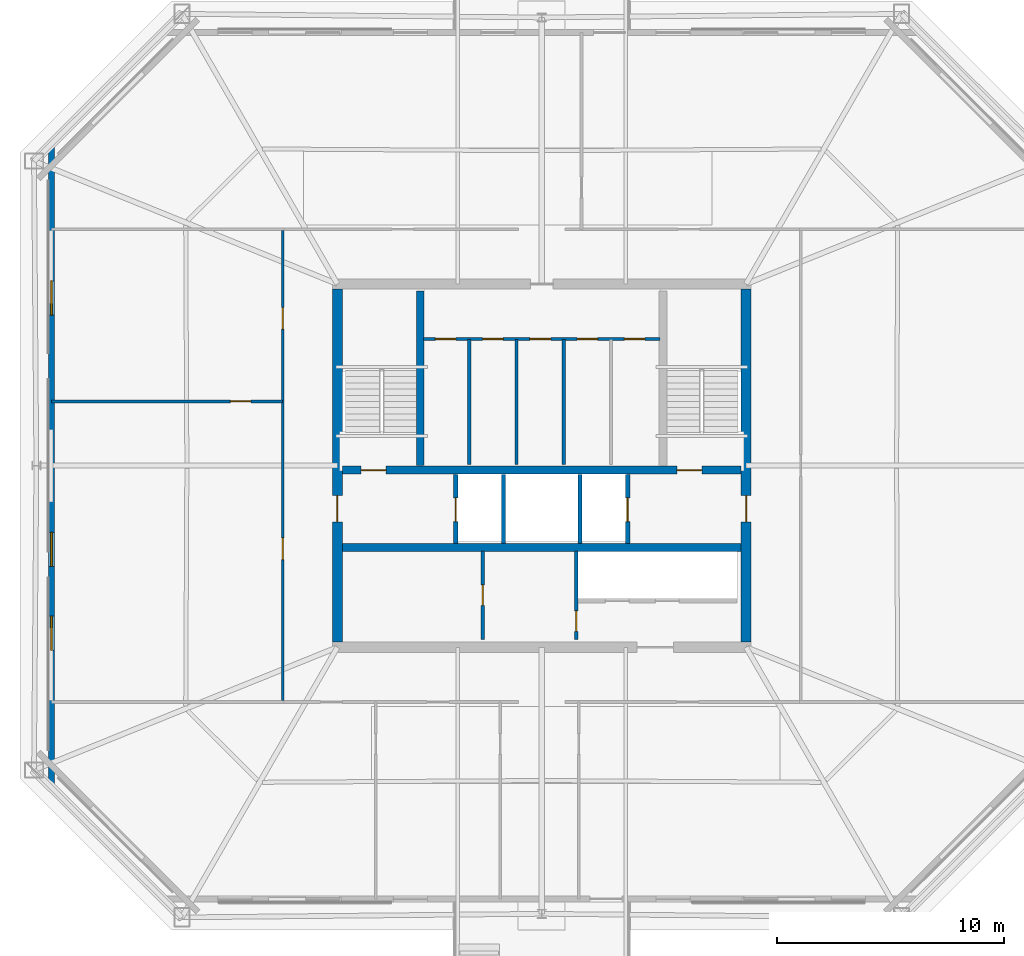
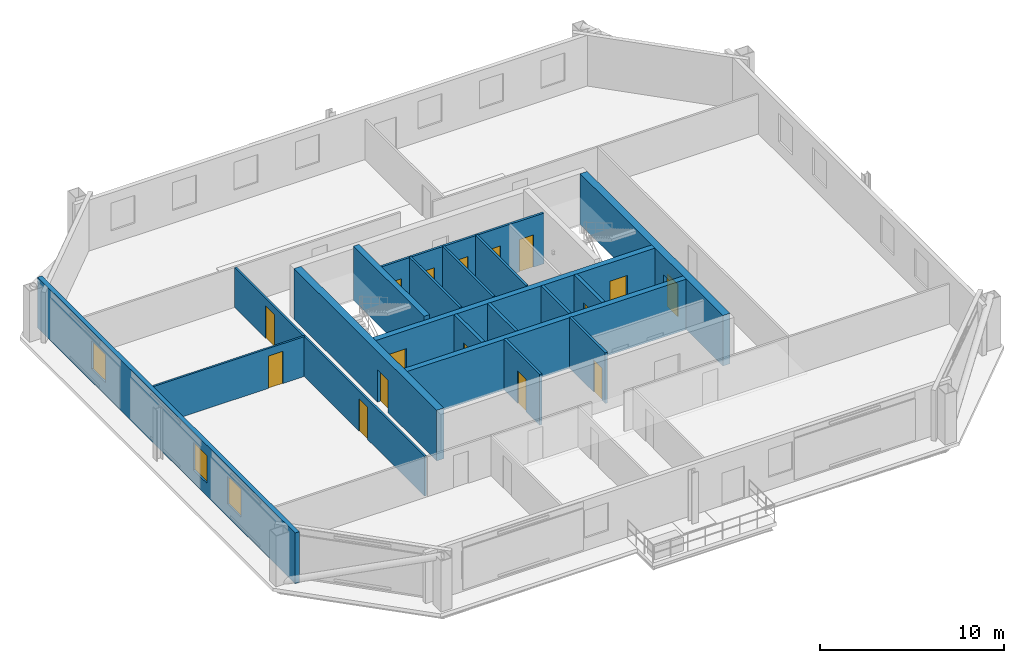
# One storey, part 3 of 7: 18 walls, 16 doors, 3 windows, 19 openings.
"""IFC4 building model written with IfcOpenShell, lengths in metres."""

import ifcopenshell
import ifcopenshell.guid

model = None  # the IFC model being written
_history = None  # IfcOwnerHistory: only IFC2X3 demands one
_inside = {}  # id of a spatial element -> (the spatial element, [elements in it])
_under = {}  # id of a project, library or spatial element -> (it, [spatial elements below it])
_declared = {}  # id of a project -> (the project, [libraries it declares])
_typed = {}  # id of a type object -> (the type object, [elements of that type])
_made_of = {}  # id of a material, layer set ... -> (it, [elements and type objects made of it])


def new_model(schema):
    """Start an empty IFC model of exactly this schema.

    Asked for "IFC4X3", IfcOpenShell would pick the latest addendum, in which some entities
    have other attributes; the version numbers below select the first issue.
    IFC2X3 requires an IfcOwnerHistory on every rooted entity: one is made here for all.
    """
    global model, _history
    if schema == "IFC4X3":
        model = ifcopenshell.file(schema_version=(4, 3, 0, 0))
    else:
        model = ifcopenshell.file(schema=schema)
    _inside.clear()
    _under.clear()
    _declared.clear()
    _typed.clear()
    _made_of.clear()
    _history = None
    if model.schema == "IFC2X3":
        org = make("IfcOrganization", Name="unknown")
        user = make(
            "IfcPersonAndOrganization",
            ThePerson=make("IfcPerson", FamilyName="unknown"),
            TheOrganization=org,
        )
        app = make(
            "IfcApplication",
            ApplicationDeveloper=org,
            Version="unknown",
            ApplicationFullName="unknown",
            ApplicationIdentifier="unknown",
        )
        _history = make(
            "IfcOwnerHistory",
            OwningUser=user,
            OwningApplication=app,
            ChangeAction="ADDED",
            CreationDate=0,
        )
    return model


def make(cls, **values):
    """One entity of the class cls with the attributes given. An attribute that is None is left unset."""
    return model.create_entity(
        cls, **{name: value for name, value in values.items() if value is not None}
    )


def rooted(cls, **values):
    """An entity with a GlobalId (a new one), such as an element, a storey or a relation."""
    return make(cls, GlobalId=ifcopenshell.guid.new(), OwnerHistory=_history, **values)


def si_unit(unit_type, name, prefix=None):
    """IfcSIUnit, for example si_unit("LENGTHUNIT", "METRE", prefix="MILLI")."""
    return make("IfcSIUnit", UnitType=unit_type, Prefix=prefix, Name=name)


def assignment(units):
    """IfcUnitAssignment: the units of a project."""
    return None if units is None else make("IfcUnitAssignment", Units=units)


def point(xyz):
    """IfcCartesianPoint."""
    return None if xyz is None else make("IfcCartesianPoint", Coordinates=xyz)


def direction(xyz):
    """IfcDirection."""
    return None if xyz is None else make("IfcDirection", DirectionRatios=xyz)


def frame(location, z_axis=None, x_axis=None):
    """IfcAxis2Placement3D, a coordinate frame: its origin and axes. An axis left out is left unset."""
    return make(
        "IfcAxis2Placement3D",
        Location=point(location),
        Axis=direction(z_axis),
        RefDirection=direction(x_axis),
    )


def frame_2d(location, x_axis=None):
    """IfcAxis2Placement2D, a coordinate frame in the plane: its origin and x axis."""
    return make(
        "IfcAxis2Placement2D", Location=point(location), RefDirection=direction(x_axis)
    )


def origin():
    """The frame at (0, 0, 0) with its axes left unset."""
    return frame((0.0, 0.0, 0.0))


def place(relative_to, where):
    """IfcLocalPlacement: puts the frame where relative to a parent placement (None: the world)."""
    return make(
        "IfcLocalPlacement", PlacementRelTo=relative_to, RelativePlacement=where
    )


def context(
    kind, dimensions, precision=None, world=None, true_north=None, identifier=None
):
    """IfcGeometricRepresentationContext, for example the 3D "Model" context."""
    return make(
        "IfcGeometricRepresentationContext",
        ContextIdentifier=identifier,
        ContextType=kind,
        CoordinateSpaceDimension=dimensions,
        Precision=precision,
        WorldCoordinateSystem=world,
        TrueNorth=true_north,
    )


def subcontext(parent, identifier, kind, view, scale=None):
    """IfcGeometricRepresentationSubContext, for example "Body" below "Model"."""
    return make(
        "IfcGeometricRepresentationSubContext",
        ContextIdentifier=identifier,
        ContextType=kind,
        ParentContext=parent,
        TargetScale=scale,
        TargetView=view,
    )


def project(units=None, contexts=None):
    """IfcProject with its units and contexts."""
    return rooted(
        "IfcProject",
        Name="project",
        RepresentationContexts=contexts,
        UnitsInContext=assignment(units),
    )


def spatial(cls, under=None, at=None, **own):
    """A site, building, storey or space (cls), placed at a placement, below another one or the project."""
    s = rooted(cls, ObjectPlacement=at, **own)
    if under is not None:
        _under.setdefault(under.id(), (under, []))[1].append(s)
    return s


def profile(cls, at=None, kind="AREA", **sizes):
    """A parametric profile (cls). Its sizes go by their IFC names, for example OverallWidth=200.0."""
    return make(cls, ProfileType=kind, Position=at, **sizes)


def rectangle(**sizes):
    """IfcRectangleProfileDef."""
    return profile("IfcRectangleProfileDef", **sizes)


def extrude(swept, where, along, depth):
    """IfcExtrudedAreaSolid: the profile swept, set in the frame where, extruded along a direction by depth."""
    return make(
        "IfcExtrudedAreaSolid",
        SweptArea=swept,
        Position=where,
        ExtrudedDirection=direction(along),
        Depth=depth,
    )


def shape(context_of_items, identifier, shape_type, items):
    """IfcShapeRepresentation: the items that make up one representation, for example the "Body"."""
    return make(
        "IfcShapeRepresentation",
        ContextOfItems=context_of_items,
        RepresentationIdentifier=identifier,
        RepresentationType=shape_type,
        Items=items,
    )


def material(Name=None, Category=None):
    """IfcMaterial."""
    return make("IfcMaterial", Name=Name, Category=Category)


def layer(
    of_material, thickness, ventilated=None, Name=None, Category=None, Priority=None
):
    """IfcMaterialLayer: one layer of a wall or slab, of a material (None: an air gap)."""
    return make(
        "IfcMaterialLayer",
        Material=of_material,
        LayerThickness=thickness,
        IsVentilated=ventilated,
        Name=Name,
        Category=Category,
        Priority=Priority,
    )


def layer_set(layers, Name=None):
    """IfcMaterialLayerSet."""
    return make("IfcMaterialLayerSet", MaterialLayers=layers, LayerSetName=Name)


def made_of(thing, what):
    """Note that an element or type object is made of a material, layer set ...; save() writes the relation."""
    if what is not None:
        _made_of.setdefault(what.id(), (what, []))[1].append(thing)
    return thing


def type_object(cls, material=None, **own):
    """A type object (cls), such as IfcWallType, which elements share."""
    return made_of(rooted(cls, **own), material)


def element(
    cls,
    number,
    at=None,
    inside=None,
    cuts=None,
    type_object=None,
    material=None,
    context=None,
    identifier="Body",
    shape_type=None,
    held_by="IfcProductDefinitionShape",
    body=None,
    shapes=None,
    **own,
):
    """One element of the class cls, such as IfcWall. Its Tag is "e" and its number.

    at: its placement. inside: the storey or other place that contains it. cuts: it is an
    opening in that element (IfcRelVoidsElement). A single representation is given by context,
    identifier, shape_type and body (its items); several are given by shapes. held_by: the class
    of the entity that holds the representations. save() writes the other relations.
    """
    e = rooted(cls, Tag="e%d" % number, ObjectPlacement=at, **own)
    if body is not None:
        shapes = [shape(context, identifier, shape_type, body)]
    if shapes is not None:
        e.Representation = make(held_by, Representations=shapes)
    if inside is not None:
        _inside.setdefault(inside.id(), (inside, []))[1].append(e)
    if cuts is not None:
        rooted(
            "IfcRelVoidsElement", RelatingBuildingElement=cuts, RelatedOpeningElement=e
        )
    if type_object is not None:
        _typed.setdefault(type_object.id(), (type_object, []))[1].append(e)
    return made_of(e, material)


def fill(opening, filler):
    """IfcRelFillsElement: the door or window that sits in an opening."""
    return rooted(
        "IfcRelFillsElement",
        RelatingOpeningElement=opening,
        RelatedBuildingElement=filler,
    )


def aggregate(whole, parts):
    """IfcRelAggregates: a whole, such as a stair, and the parts it consists of."""
    return rooted("IfcRelAggregates", RelatingObject=whole, RelatedObjects=parts)


def save(model, path):
    """Write the relations noted so far, then the file.

    IfcRelAggregates (storeys below a building ...), IfcRelContainedInSpatialStructure (elements
    in a storey), IfcRelDefinesByType, IfcRelAssociatesMaterial and IfcRelDeclares: one each for
    every whole, place, type object, material and project.
    """
    for whole, parts in _under.values():
        aggregate(whole, parts)
    for where, things in _inside.values():
        rooted(
            "IfcRelContainedInSpatialStructure",
            RelatedElements=things,
            RelatingStructure=where,
        )
    for kind, things in _typed.values():
        rooted("IfcRelDefinesByType", RelatedObjects=things, RelatingType=kind)
    for what, things in _made_of.values():
        rooted("IfcRelAssociatesMaterial", RelatedObjects=things, RelatingMaterial=what)
    for by, libraries in _declared.values():
        rooted("IfcRelDeclares", RelatingContext=by, RelatedDefinitions=libraries)
    model.write(path)


model = new_model("IFC4")

# Units and contexts
model_context = context("Model", 3, precision=1e-05, world=origin(), true_north=direction((0.0, 1.0)))
body_context = subcontext(model_context, "Body", "Model", "MODEL_VIEW")
ifc_project = project(units=[si_unit("LENGTHUNIT", "METRE"), si_unit("AREAUNIT", "SQUARE_METRE"), si_unit("VOLUMEUNIT", "CUBIC_METRE"), si_unit("PLANEANGLEUNIT", "RADIAN"), si_unit("MASSUNIT", "GRAM", prefix="KILO")], contexts=[model_context])

# Site, building, storey
site_placement = place(None, origin())
site = spatial("IfcSite", under=ifc_project, at=site_placement, CompositionType="ELEMENT")
building_placement = place(site_placement, origin())
building = spatial("IfcBuilding", under=site, at=building_placement, Name="Caelvoria Tower", CompositionType="ELEMENT")
storey_placement = place(building_placement, frame((0.0, 0.0, 191.39990234375)))
storey = spatial("IfcBuildingStorey", under=building, at=storey_placement, Name="L50", CompositionType="ELEMENT", Elevation=191.39990234375)

# Wall, openings, doors
ifc_material_1 = material(Name="Concrete C50/60", Category="concrete")
ifc_layer_1 = layer(ifc_material_1, 0.35009765625, Name="Concrete C50/60")
ifc_layer_set_1 = layer_set([ifc_layer_1], Name="Core Internal Shear Wall 350 - Concrete C50/60")
wall_type_1 = type_object("IfcWallType", Name="Core Internal Shear Wall 350", PredefinedType="SHEAR", material=ifc_layer_set_1)
wall_1_placement = place(storey_placement, frame((37.22509765625, 31.800048828125, 0.0), z_axis=(0.0, 0.0, 1.0), x_axis=(1.0, 0.0, 0.0)))
wall_1 = element("IfcWall", 1, at=wall_1_placement, inside=storey, type_object=wall_type_1, Name="Core Shear Wall L50 M1", PredefinedType="SHEAR", context=body_context, shape_type="SweptSolid", body=[
    extrude(rectangle(XDim=17.5498046875, YDim=0.35009765625, at=frame_2d((8.77490234375, 0.0))), origin(), (0.0, 0.0, 1.0), 3.360107421875),
])
opening_1_placement = place(wall_1_placement, frame((0.824951171875, 0.0, 0.0)))
opening_1 = element("IfcOpeningElement", 2, at=opening_1_placement, cuts=wall_1, Name="Opening ID-01", PredefinedType="OPENING", context=body_context, shape_type="SweptSolid", body=[
    extrude(rectangle(XDim=1.10009765625, YDim=2.14990234375, at=frame_2d((0.550048828125, 1.074951171875))), frame((0.0, 0.18505859375, 0.0), z_axis=(0.0, -1.0, 0.0), x_axis=(1.0, 0.0, 0.0)), (0.0, 0.0, 1.0), 0.3701171875),
])
opening_2_placement = place(wall_1_placement, frame((14.72509765625, 0.0, 0.0)))
opening_2 = element("IfcOpeningElement", 3, at=opening_2_placement, cuts=wall_1, Name="Opening ID-01", PredefinedType="OPENING", context=body_context, shape_type="SweptSolid", body=[
    extrude(rectangle(XDim=1.10009765625, YDim=2.14990234375, at=frame_2d((0.550048828125, 1.074951171875))), frame((0.0, 0.18505859375, 0.0), z_axis=(0.0, -1.0, 0.0), x_axis=(1.0, 0.0, 0.0)), (0.0, 0.0, 1.0), 0.3701171875),
])
ifc_material_2 = material(Name="Painted Hollow Steel Fire Door", Category="steel")
door_type_1 = type_object("IfcDoorType", Name="Fire Door FD90S 1100x2150", OperationType="NOTDEFINED", PredefinedType="DOOR", material=ifc_material_2)
door_1_placement = place(opening_1_placement, origin())
door_1 = element("IfcDoor", 4, at=door_1_placement, inside=storey, type_object=door_type_1, Name="Core Door DR-L50-ST1", OperationType="SINGLE_SWING_LEFT", OverallHeight=2.14990234375, OverallWidth=1.10009765625, PredefinedType="DOOR", context=body_context, shape_type="SweptSolid", body=[
    extrude(rectangle(XDim=1.10009765625, YDim=2.14990234375, at=frame_2d((0.550048828125, 1.074951171875))), frame((0.0, 0.02490234375, 0.0), z_axis=(0.0, -1.0, 0.0), x_axis=(1.0, 0.0, 0.0)), (0.0, 0.0, 1.0), 0.050048828125),
])
fill(opening_1, door_1)
door_2_placement = place(opening_2_placement, origin())
door_2 = element("IfcDoor", 5, at=door_2_placement, inside=storey, type_object=door_type_1, Name="Core Door DR-L50-ST2", OperationType="SINGLE_SWING_RIGHT", OverallHeight=2.14990234375, OverallWidth=1.10009765625, PredefinedType="DOOR", context=body_context, shape_type="SweptSolid", body=[
    extrude(rectangle(XDim=1.10009765625, YDim=2.14990234375, at=frame_2d((0.550048828125, 1.074951171875))), frame((0.0, 0.02490234375, 0.0), z_axis=(0.0, -1.0, 0.0), x_axis=(1.0, 0.0, 0.0)), (0.0, 0.0, 1.0), 0.050048828125),
])
fill(opening_2, door_2)

# Walls
wall_2_placement = place(storey_placement, frame((37.22509765625, 28.39990234375, 0.0), z_axis=(0.0, 0.0, 1.0), x_axis=(1.0, 0.0, 0.0)))
element("IfcWall", 6, at=wall_2_placement, inside=storey, type_object=wall_type_1, Name="Core Shear Wall L50 M2", PredefinedType="SHEAR", context=body_context, shape_type="SweptSolid", body=[
    extrude(rectangle(XDim=17.5498046875, YDim=0.35009765625, at=frame_2d((8.77490234375, 0.0))), origin(), (0.0, 0.0, 1.0), 3.360107421875),
])
wall_3_placement = place(storey_placement, frame((40.64990234375, 32.0, 0.0), z_axis=(0.0, 0.0, 1.0), x_axis=(0.0, 1.0, 0.0)))
element("IfcWall", 7, at=wall_3_placement, inside=storey, type_object=wall_type_1, Name="Interior Partition IW-L50-ST1E", PredefinedType="SHEAR", context=body_context, shape_type="SweptSolid", body=[
    extrude(rectangle(XDim=7.699951171875, YDim=0.35009765625, at=frame_2d((3.85009765625, 0.0))), origin(), (0.0, 0.0, 1.0), 3.60009765625),
])
ifc_material_3 = material(Name="Moisture-Resistant Gypsum on Steel Stud", Category="steel")
ifc_layer_2 = layer(ifc_material_3, 0.139892578125, Name="Moisture-Resistant Gypsum on Steel Stud")
ifc_layer_set_2 = layer_set([ifc_layer_2], Name="Core Sanitary Acoustic Partition Wall 140 - Moisture-Resistant Gypsum on Steel Stud")
wall_type_2 = type_object("IfcWallType", Name="Core Sanitary Acoustic Partition Wall 140", PredefinedType="PARTITIONING", material=ifc_layer_set_2)
for number, where, z_axis, x_axis, name in (
    (8, (42.81005859375, 32.050048828125, 0.0), (0.0, 0.0, 1.0), (0.0, 1.0, 0.0), "Interior Partition IW-L50-C1V0"),
    (9, (44.889892578125, 32.050048828125, 0.0), (0.0, 0.0, 1.0), (0.0, 1.0, 0.0), "Interior Partition IW-L50-C1V1"),
    (10, (46.969970703125, 32.050048828125, 0.0), (0.0, 0.0, 1.0), (0.0, 1.0, 0.0), "Interior Partition IW-L50-C1V2"),
):
    element("IfcWall", number, at=place(storey_placement, frame(where, z_axis=z_axis, x_axis=x_axis)), inside=storey, type_object=wall_type_2, Name=name, PredefinedType="PARTITIONING", context=body_context, shape_type="SweptSolid", body=[
        extrude(rectangle(XDim=5.5, YDim=0.139892578125, at=frame_2d((2.75, 0.0))), origin(), (0.0, 0.0, 1.0), 3.375),
    ])

# Wall, openings, doors
wall_4_placement = place(storey_placement, frame((40.800048828125, 37.580078125, 0.0), z_axis=(0.0, 0.0, 1.0), x_axis=(1.0, 0.0, 0.0)))
wall_4 = element("IfcWall", 11, at=wall_4_placement, inside=storey, type_object=wall_type_2, Name="Interior Partition IW-L50-C1H", PredefinedType="PARTITIONING", context=body_context, shape_type="SweptSolid", body=[
    extrude(rectangle(XDim=10.39990234375, YDim=0.139892578125, at=frame_2d((5.199951171875, 0.0))), origin(), (0.0, 0.0, 1.0), 3.375),
])
opening_3_placement = place(wall_4_placement, frame((0.52001953125, 0.0, 0.0)))
opening_3 = element("IfcOpeningElement", 12, at=opening_3_placement, cuts=wall_4, Name="Opening ID-06", PredefinedType="OPENING", context=body_context, shape_type="SweptSolid", body=[
    extrude(rectangle(XDim=0.89990234375, YDim=2.14990234375, at=frame_2d((0.449951171875, 1.074951171875))), frame((0.0, 0.079833984375, 0.0), z_axis=(0.0, -1.0, 0.0), x_axis=(1.0, 0.0, 0.0)), (0.0, 0.0, 1.0), 0.159912109375),
])
opening_4_placement = place(wall_4_placement, frame((2.60009765625, 0.0, 0.0)))
opening_4 = element("IfcOpeningElement", 13, at=opening_4_placement, cuts=wall_4, Name="Opening ID-06", PredefinedType="OPENING", context=body_context, shape_type="SweptSolid", body=[
    extrude(rectangle(XDim=0.89990234375, YDim=2.14990234375, at=frame_2d((0.449951171875, 1.074951171875))), frame((0.0, 0.079833984375, 0.0), z_axis=(0.0, -1.0, 0.0), x_axis=(1.0, 0.0, 0.0)), (0.0, 0.0, 1.0), 0.159912109375),
])
opening_5_placement = place(wall_4_placement, frame((4.679931640625, 0.0, 0.0)))
opening_5 = element("IfcOpeningElement", 14, at=opening_5_placement, cuts=wall_4, Name="Opening ID-07", PredefinedType="OPENING", context=body_context, shape_type="SweptSolid", body=[
    extrude(rectangle(XDim=0.919921875, YDim=2.14990234375, at=frame_2d((0.4599609375, 1.074951171875))), frame((0.0, 0.079833984375, 0.0), z_axis=(0.0, -1.0, 0.0), x_axis=(1.0, 0.0, 0.0)), (0.0, 0.0, 1.0), 0.159912109375),
])
opening_6_placement = place(wall_4_placement, frame((6.760009765625, 0.0, 0.0)))
opening_6 = element("IfcOpeningElement", 15, at=opening_6_placement, cuts=wall_4, Name="Opening ID-06", PredefinedType="OPENING", context=body_context, shape_type="SweptSolid", body=[
    extrude(rectangle(XDim=0.89990234375, YDim=2.14990234375, at=frame_2d((0.449951171875, 1.074951171875))), frame((0.0, 0.079833984375, 0.0), z_axis=(0.0, -1.0, 0.0), x_axis=(1.0, 0.0, 0.0)), (0.0, 0.0, 1.0), 0.159912109375),
])
opening_7_placement = place(wall_4_placement, frame((8.840087890625, 0.0, 0.0)))
opening_7 = element("IfcOpeningElement", 16, at=opening_7_placement, cuts=wall_4, Name="Opening ID-06", PredefinedType="OPENING", context=body_context, shape_type="SweptSolid", body=[
    extrude(rectangle(XDim=0.89990234375, YDim=2.14990234375, at=frame_2d((0.449951171875, 1.074951171875))), frame((0.0, 0.079833984375, 0.0), z_axis=(0.0, -1.0, 0.0), x_axis=(1.0, 0.0, 0.0)), (0.0, 0.0, 1.0), 0.159912109375),
])
ifc_material_4 = material(Name="Engineered Andean Oak Accessible Door", Category="wood")
door_type_2 = type_object("IfcDoorType", Name="Accessible WC Door 950x2150", OperationType="NOTDEFINED", PredefinedType="DOOR", material=ifc_material_4)
door_3_placement = place(opening_5_placement, origin())
door_3 = element("IfcDoor", 17, at=door_3_placement, inside=storey, type_object=door_type_2, Name="Interior Door DR-L50-C1-3", OperationType="SINGLE_SWING_LEFT", OverallHeight=2.14990234375, OverallWidth=0.919921875, PredefinedType="DOOR", context=body_context, shape_type="SweptSolid", body=[
    extrude(rectangle(XDim=0.919921875, YDim=2.14990234375, at=frame_2d((0.4599609375, 1.074951171875))), frame((0.0, 0.02490234375, 0.0), z_axis=(0.0, -1.0, 0.0), x_axis=(1.0, 0.0, 0.0)), (0.0, 0.0, 1.0), 0.050048828125),
])
fill(opening_5, door_3)
ifc_material_5 = material(Name="Engineered Andean Oak Veneer Door", Category="wood")
door_type_3 = type_object("IfcDoorType", Name="Interior Timber Door 900x2150", OperationType="NOTDEFINED", PredefinedType="DOOR", material=ifc_material_5)
door_4_placement = place(opening_3_placement, origin())
door_4 = element("IfcDoor", 18, at=door_4_placement, inside=storey, type_object=door_type_3, Name="Interior Door DR-L50-C1-1", OperationType="SINGLE_SWING_LEFT", OverallHeight=2.14990234375, OverallWidth=0.89990234375, PredefinedType="DOOR", context=body_context, shape_type="SweptSolid", body=[
    extrude(rectangle(XDim=0.89990234375, YDim=2.14990234375, at=frame_2d((0.449951171875, 1.074951171875))), frame((0.0, 0.02490234375, 0.0), z_axis=(0.0, -1.0, 0.0), x_axis=(1.0, 0.0, 0.0)), (0.0, 0.0, 1.0), 0.050048828125),
])
fill(opening_3, door_4)
door_5_placement = place(opening_4_placement, origin())
door_5 = element("IfcDoor", 19, at=door_5_placement, inside=storey, type_object=door_type_3, Name="Interior Door DR-L50-C1-2", OperationType="SINGLE_SWING_RIGHT", OverallHeight=2.14990234375, OverallWidth=0.89990234375, PredefinedType="DOOR", context=body_context, shape_type="SweptSolid", body=[
    extrude(rectangle(XDim=0.89990234375, YDim=2.14990234375, at=frame_2d((0.449951171875, 1.074951171875))), frame((0.0, 0.02490234375, 0.0), z_axis=(0.0, -1.0, 0.0), x_axis=(1.0, 0.0, 0.0)), (0.0, 0.0, 1.0), 0.050048828125),
])
fill(opening_4, door_5)
door_6_placement = place(opening_6_placement, origin())
door_6 = element("IfcDoor", 20, at=door_6_placement, inside=storey, type_object=door_type_3, Name="Interior Door DR-L50-C1-4", OperationType="SINGLE_SWING_RIGHT", OverallHeight=2.14990234375, OverallWidth=0.89990234375, PredefinedType="DOOR", context=body_context, shape_type="SweptSolid", body=[
    extrude(rectangle(XDim=0.89990234375, YDim=2.14990234375, at=frame_2d((0.449951171875, 1.074951171875))), frame((0.0, 0.02490234375, 0.0), z_axis=(0.0, -1.0, 0.0), x_axis=(1.0, 0.0, 0.0)), (0.0, 0.0, 1.0), 0.050048828125),
])
fill(opening_6, door_6)
door_7_placement = place(opening_7_placement, origin())
door_7 = element("IfcDoor", 21, at=door_7_placement, inside=storey, type_object=door_type_3, Name="Interior Door DR-L50-C1-5", OperationType="SINGLE_SWING_LEFT", OverallHeight=2.14990234375, OverallWidth=0.89990234375, PredefinedType="DOOR", context=body_context, shape_type="SweptSolid", body=[
    extrude(rectangle(XDim=0.89990234375, YDim=2.14990234375, at=frame_2d((0.449951171875, 1.074951171875))), frame((0.0, 0.02490234375, 0.0), z_axis=(0.0, -1.0, 0.0), x_axis=(1.0, 0.0, 0.0)), (0.0, 0.0, 1.0), 0.050048828125),
])
fill(opening_7, door_7)

# Wall, opening, door
ifc_material_6 = material(Name="Double Gypsum Board on Steel Stud", Category="steel")
ifc_layer_3 = layer(ifc_material_6, 0.14990234375, Name="Double Gypsum Board on Steel Stud")
ifc_layer_set_3 = layer_set([ifc_layer_3], Name="Core Service Acoustic Partition Wall 150 - Double Gypsum Board on Steel Stud")
wall_type_3 = type_object("IfcWallType", Name="Core Service Acoustic Partition Wall 150", PredefinedType="PARTITIONING", material=ifc_layer_set_3)
wall_5_placement = place(storey_placement, frame((43.39990234375, 24.35009765625, 0.0), z_axis=(0.0, 0.0, 1.0), x_axis=(0.0, 1.0, 0.0)))
wall_5 = element("IfcWall", 22, at=wall_5_placement, inside=storey, type_object=wall_type_3, Name="Interior Partition IW-L50-RECL-MID", PredefinedType="PARTITIONING", context=body_context, shape_type="SweptSolid", body=[
    extrude(rectangle(XDim=3.89990234375, YDim=0.14990234375, at=frame_2d((1.949951171875, 0.0))), origin(), (0.0, 0.0, 1.0), 3.375),
])
opening_8_placement = place(wall_5_placement, frame((1.5, 0.0, 0.0)))
opening_8 = element("IfcOpeningElement", 23, at=opening_8_placement, cuts=wall_5, Name="Opening ID-06", PredefinedType="OPENING", context=body_context, shape_type="SweptSolid", body=[
    extrude(rectangle(XDim=0.89990234375, YDim=2.14990234375, at=frame_2d((0.449951171875, 1.074951171875))), frame((0.0, 0.0849609375, 0.0), z_axis=(0.0, -1.0, 0.0), x_axis=(1.0, 0.0, 0.0)), (0.0, 0.0, 1.0), 0.169921875),
])
door_8_placement = place(opening_8_placement, origin())
door_8 = element("IfcDoor", 24, at=door_8_placement, inside=storey, type_object=door_type_3, Name="Interior Door DR-L50-RECL12", OperationType="SINGLE_SWING_LEFT", OverallHeight=2.14990234375, OverallWidth=0.89990234375, PredefinedType="DOOR", context=body_context, shape_type="SweptSolid", body=[
    extrude(rectangle(XDim=0.89990234375, YDim=2.14990234375, at=frame_2d((0.449951171875, 1.074951171875))), frame((0.0, 0.02490234375, 0.0), z_axis=(0.0, -1.0, 0.0), x_axis=(1.0, 0.0, 0.0)), (0.0, 0.0, 1.0), 0.050048828125),
])
fill(opening_8, door_8)

wall_6_placement = place(storey_placement, frame((47.52001953125, 24.35009765625, 0.0), z_axis=(0.0, 0.0, 1.0), x_axis=(0.0, 1.0, 0.0)))
wall_6 = element("IfcWall", 25, at=wall_6_placement, inside=storey, type_object=wall_type_3, Name="Interior Partition IW-L50-RECL2E", PredefinedType="PARTITIONING", context=body_context, shape_type="SweptSolid", body=[
    extrude(rectangle(XDim=3.89990234375, YDim=0.14990234375, at=frame_2d((1.949951171875, 0.0))), origin(), (0.0, 0.0, 1.0), 3.375),
])
opening_9_placement = place(wall_6_placement, frame((0.35009765625, 0.0, 0.0)))
opening_9 = element("IfcOpeningElement", 26, at=opening_9_placement, cuts=wall_6, Name="Opening ID-04", PredefinedType="OPENING", context=body_context, shape_type="SweptSolid", body=[
    extrude(rectangle(XDim=0.89990234375, YDim=2.14990234375, at=frame_2d((0.449951171875, 1.074951171875))), frame((0.0, 0.0849609375, 0.0), z_axis=(0.0, -1.0, 0.0), x_axis=(1.0, 0.0, 0.0)), (0.0, 0.0, 1.0), 0.169921875),
])
ifc_material_7 = material(Name="Acoustic Timber Fire Door", Category="wood")
door_type_4 = type_object("IfcDoorType", Name="Fire Door FD30S 900x2150", OperationType="NOTDEFINED", PredefinedType="DOOR", material=ifc_material_7)
door_9_placement = place(opening_9_placement, origin())
door_9 = element("IfcDoor", 27, at=door_9_placement, inside=storey, type_object=door_type_4, Name="Interior Door DR-L50-RECL2", OperationType="SINGLE_SWING_RIGHT", OverallHeight=2.14990234375, OverallWidth=0.89990234375, PredefinedType="DOOR", context=body_context, shape_type="SweptSolid", body=[
    extrude(rectangle(XDim=0.89990234375, YDim=2.14990234375, at=frame_2d((0.449951171875, 1.074951171875))), frame((0.0, 0.02490234375, 0.0), z_axis=(0.0, -1.0, 0.0), x_axis=(1.0, 0.0, 0.0)), (0.0, 0.0, 1.0), 0.050048828125),
])
fill(opening_9, door_9)

# Walls
ifc_material_8 = material(Name="Concrete Block and Fireboard Assembly", Category="concrete")
ifc_layer_4 = layer(ifc_material_8, 0.179931640625, Name="Concrete Block and Fireboard Assembly")
ifc_layer_set_4 = layer_set([ifc_layer_4], Name="Fire-Rated Hoistway Partition Wall 180 - Concrete Block and Fireboard Assembly")
wall_type_4 = type_object("IfcWallType", Name="Fire-Rated Hoistway Partition Wall 180", PredefinedType="PARTITIONING", material=ifc_layer_set_4)
for number, where, z_axis, x_axis, name in (
    (28, (44.320068359375, 28.580078125, 0.0), (0.0, 0.0, 1.0), (0.0, 1.0, 0.0), "Interior Partition IW-L50-SV1W"),
    (29, (47.679931640625, 28.580078125, 0.0), (0.0, 0.0, 1.0), (0.0, 1.0, 0.0), "Interior Partition IW-L50-SV1E"),
):
    element("IfcWall", number, at=place(storey_placement, frame(where, z_axis=z_axis, x_axis=x_axis)), inside=storey, type_object=wall_type_4, Name=name, PredefinedType="PARTITIONING", context=body_context, shape_type="SweptSolid", body=[
        extrude(rectangle(XDim=3.0400390625, YDim=0.179931640625, at=frame_2d((1.52001953125, 0.0))), origin(), (0.0, 0.0, 1.0), 3.375),
    ])

# Wall, opening, door
ifc_layer_5 = layer(ifc_material_8, 0.199951171875, Name="Concrete Block and Fireboard Assembly")
ifc_layer_set_5 = layer_set([ifc_layer_5], Name="Fire-Rated Shaft and Core Partition Wall 200 - Concrete Block and Fireboard Assembly")
wall_type_5 = type_object("IfcWallType", Name="Fire-Rated Shaft and Core Partition Wall 200", PredefinedType="PARTITIONING", material=ifc_layer_set_5)
wall_7_placement = place(storey_placement, frame((42.219970703125, 28.580078125, 0.0), z_axis=(0.0, 0.0, 1.0), x_axis=(0.0, 1.0, 0.0)))
wall_7 = element("IfcWall", 30, at=wall_7_placement, inside=storey, type_object=wall_type_5, Name="Interior Partition IW-L50-LF1W", PredefinedType="PARTITIONING", context=body_context, shape_type="SweptSolid", body=[
    extrude(rectangle(XDim=3.0400390625, YDim=0.199951171875, at=frame_2d((1.52001953125, 0.0))), origin(), (0.0, 0.0, 1.0), 3.375),
])
opening_10_placement = place(wall_7_placement, frame((0.949951171875, 0.0, 0.0)))
opening_10 = element("IfcOpeningElement", 31, at=opening_10_placement, cuts=wall_7, Name="Opening LD-01", PredefinedType="OPENING", context=body_context, shape_type="SweptSolid", body=[
    extrude(rectangle(XDim=1.050048828125, YDim=2.14990234375, at=frame_2d((0.52490234375, 1.074951171875))), frame((0.0, 0.10986328125, 0.0), z_axis=(0.0, -1.0, 0.0), x_axis=(1.0, 0.0, 0.0)), (0.0, 0.0, 1.0), 0.219970703125),
])
ifc_material_9 = material(Name="Brushed Bronze Stainless Sliding Landing Door", Category="aluminium")
door_type_5 = type_object("IfcDoorType", Name="Lift Landing Sliding Door 1100x2150", OperationType="NOTDEFINED", PredefinedType="DOOR", material=ifc_material_9)
door_10_placement = place(opening_10_placement, origin())
door_10 = element("IfcDoor", 32, at=door_10_placement, inside=storey, type_object=door_type_5, Name="Interior Door LD-L50-LF1", OperationType="SLIDING_TO_LEFT", OverallHeight=2.14990234375, OverallWidth=1.050048828125, PredefinedType="DOOR", context=body_context, shape_type="SweptSolid", body=[
    extrude(rectangle(XDim=1.050048828125, YDim=2.14990234375, at=frame_2d((0.52490234375, 1.074951171875))), frame((0.0, 0.02490234375, 0.0), z_axis=(0.0, -1.0, 0.0), x_axis=(1.0, 0.0, 0.0)), (0.0, 0.0, 1.0), 0.050048828125),
])
fill(opening_10, door_10)

wall_8_placement = place(storey_placement, frame((49.780029296875, 28.580078125, 0.0), z_axis=(0.0, 0.0, 1.0), x_axis=(0.0, 1.0, 0.0)))
wall_8 = element("IfcWall", 33, at=wall_8_placement, inside=storey, type_object=wall_type_5, Name="Interior Partition IW-L50-LF2E", PredefinedType="PARTITIONING", context=body_context, shape_type="SweptSolid", body=[
    extrude(rectangle(XDim=3.0400390625, YDim=0.199951171875, at=frame_2d((1.52001953125, 0.0))), origin(), (0.0, 0.0, 1.0), 3.375),
])
opening_11_placement = place(wall_8_placement, frame((0.949951171875, 0.0, 0.0)))
opening_11 = element("IfcOpeningElement", 34, at=opening_11_placement, cuts=wall_8, Name="Opening LD-01", PredefinedType="OPENING", context=body_context, shape_type="SweptSolid", body=[
    extrude(rectangle(XDim=1.050048828125, YDim=2.14990234375, at=frame_2d((0.52490234375, 1.074951171875))), frame((0.0, 0.10986328125, 0.0), z_axis=(0.0, -1.0, 0.0), x_axis=(1.0, 0.0, 0.0)), (0.0, 0.0, 1.0), 0.219970703125),
])
door_11_placement = place(opening_11_placement, origin())
door_11 = element("IfcDoor", 35, at=door_11_placement, inside=storey, type_object=door_type_5, Name="Interior Door LD-L50-LF2", OperationType="SLIDING_TO_RIGHT", OverallHeight=2.14990234375, OverallWidth=1.050048828125, PredefinedType="DOOR", context=body_context, shape_type="SweptSolid", body=[
    extrude(rectangle(XDim=1.050048828125, YDim=2.14990234375, at=frame_2d((0.52490234375, 1.074951171875))), frame((0.0, 0.02490234375, 0.0), z_axis=(0.0, -1.0, 0.0), x_axis=(1.0, 0.0, 0.0)), (0.0, 0.0, 1.0), 0.050048828125),
])
fill(opening_11, door_11)

ifc_material_10 = material(Name="Acoustic Gypsum Board on Light-Gauge Stud", Category="gypsum")
ifc_layer_6 = layer(ifc_material_10, 0.1201171875, Name="Acoustic Gypsum Board on Light-Gauge Stud")
ifc_layer_set_6 = layer_set([ifc_layer_6], Name="Tenant Suite Acoustic Partition Wall 120 - Acoustic Gypsum Board on Light-Gauge Stud")
wall_type_6 = type_object("IfcWallType", Name="Tenant Suite Acoustic Partition Wall 120", PredefinedType="PARTITIONING", material=ifc_layer_set_6)
wall_9_placement = place(storey_placement, frame((34.590087890625, 34.828857421875, 0.0), z_axis=(0.0, 0.0, 1.0), x_axis=(-1.0, 0.0, 0.0)))
wall_9 = element("IfcWall", 36, at=wall_9_placement, inside=storey, type_object=wall_type_6, Name="Interior Partition IW-L50-WD-00-0", PredefinedType="PARTITIONING", context=body_context, shape_type="SweptSolid", body=[
    extrude(rectangle(XDim=10.190185546875, YDim=0.1201171875, at=frame_2d((5.09521484375, 0.0))), origin(), (0.0, 0.0, 1.0), 2.655029296875),
])
opening_12_placement = place(wall_9_placement, frame((1.39990234375, 0.0, 0.0)))
opening_12 = element("IfcOpeningElement", 37, at=opening_12_placement, cuts=wall_9, Name="Opening ID-06", PredefinedType="OPENING", context=body_context, shape_type="SweptSolid", body=[
    extrude(rectangle(XDim=0.89990234375, YDim=2.14990234375, at=frame_2d((0.449951171875, 1.074951171875))), frame((0.0, 0.070068359375, 0.0), z_axis=(0.0, -1.0, 0.0), x_axis=(1.0, 0.0, 0.0)), (0.0, 0.0, 1.0), 0.14013671875),
])
door_12_placement = place(opening_12_placement, origin())
door_12 = element("IfcDoor", 38, at=door_12_placement, inside=storey, type_object=door_type_3, Name="Interior Door DR-L50-WM-00-0", OperationType="SINGLE_SWING_RIGHT", OverallHeight=2.14990234375, OverallWidth=0.89990234375, PredefinedType="DOOR", context=body_context, shape_type="SweptSolid", body=[
    extrude(rectangle(XDim=0.89990234375, YDim=2.14990234375, at=frame_2d((0.449951171875, 1.074951171875))), frame((0.0, 0.02490234375, 0.0), z_axis=(0.0, -1.0, 0.0), x_axis=(1.0, 0.0, 0.0)), (0.0, 0.0, 1.0), 0.050048828125),
])
fill(opening_12, door_12)

# Wall, openings, doors
wall_10_placement = place(storey_placement, frame((34.590087890625, 21.64990234375, 0.0), z_axis=(0.0, 0.0, 1.0), x_axis=(0.0, 1.0, 0.0)))
wall_10 = element("IfcWall", 39, at=wall_10_placement, inside=storey, type_object=wall_type_6, Name="Interior Partition IW-L50-WCW-0", PredefinedType="PARTITIONING", context=body_context, shape_type="SweptSolid", body=[
    extrude(rectangle(XDim=20.7001953125, YDim=0.1201171875, at=frame_2d((10.35009765625, 0.0))), origin(), (0.0, 0.0, 1.0), 2.655029296875),
])
opening_13_placement = place(wall_10_placement, frame((6.21435546875, 0.0, 0.0)))
opening_13 = element("IfcOpeningElement", 40, at=opening_13_placement, cuts=wall_10, Name="Opening ID-05", PredefinedType="OPENING", context=body_context, shape_type="SweptSolid", body=[
    extrude(rectangle(XDim=0.949951171875, YDim=2.14990234375, at=frame_2d((0.47509765625, 1.074951171875))), frame((0.0, 0.070068359375, 0.0), z_axis=(0.0, -1.0, 0.0), x_axis=(1.0, 0.0, 0.0)), (0.0, 0.0, 1.0), 0.14013671875),
])
opening_14_placement = place(wall_10_placement, frame((16.364501953125, 0.0, 0.0)))
opening_14 = element("IfcOpeningElement", 41, at=opening_14_placement, cuts=wall_10, Name="Opening ID-05", PredefinedType="OPENING", context=body_context, shape_type="SweptSolid", body=[
    extrude(rectangle(XDim=0.949951171875, YDim=2.14990234375, at=frame_2d((0.47509765625, 1.074951171875))), frame((0.0, 0.070068359375, 0.0), z_axis=(0.0, -1.0, 0.0), x_axis=(1.0, 0.0, 0.0)), (0.0, 0.0, 1.0), 0.14013671875),
])
door_type_6 = type_object("IfcDoorType", Name="Interior Timber Door 950x2150", OperationType="NOTDEFINED", PredefinedType="DOOR", material=ifc_material_5)
door_13_placement = place(opening_13_placement, origin())
door_13 = element("IfcDoor", 42, at=door_13_placement, inside=storey, type_object=door_type_6, Name="Interior Door DR-L50-WC-00-0", OperationType="SINGLE_SWING_LEFT", OverallHeight=2.14990234375, OverallWidth=0.949951171875, PredefinedType="DOOR", context=body_context, shape_type="SweptSolid", body=[
    extrude(rectangle(XDim=0.949951171875, YDim=2.14990234375, at=frame_2d((0.47509765625, 1.074951171875))), frame((0.0, 0.02490234375, 0.0), z_axis=(0.0, -1.0, 0.0), x_axis=(1.0, 0.0, 0.0)), (0.0, 0.0, 1.0), 0.050048828125),
])
fill(opening_13, door_13)
door_14_placement = place(opening_14_placement, origin())
door_14 = element("IfcDoor", 43, at=door_14_placement, inside=storey, type_object=door_type_6, Name="Interior Door DR-L50-WC-01-0", OperationType="SINGLE_SWING_RIGHT", OverallHeight=2.14990234375, OverallWidth=0.949951171875, PredefinedType="DOOR", context=body_context, shape_type="SweptSolid", body=[
    extrude(rectangle(XDim=0.949951171875, YDim=2.14990234375, at=frame_2d((0.47509765625, 1.074951171875))), frame((0.0, 0.02490234375, 0.0), z_axis=(0.0, -1.0, 0.0), x_axis=(1.0, 0.0, 0.0)), (0.0, 0.0, 1.0), 0.050048828125),
])
fill(opening_14, door_14)

# Wall, opening, door
ifc_layer_7 = layer(ifc_material_1, 0.449951171875, Name="Concrete C50/60")
ifc_layer_set_7 = layer_set([ifc_layer_7], Name="Upper Core Shear Wall 450 - Concrete C50/60")
wall_type_7 = type_object("IfcWallType", Name="Upper Core Shear Wall 450", PredefinedType="SHEAR", material=ifc_layer_set_7)
wall_11_placement = place(storey_placement, frame((37.0, 24.22509765625, 0.0), z_axis=(0.0, 0.0, 1.0), x_axis=(0.0, 1.0, 0.0)))
wall_11 = element("IfcWall", 44, at=wall_11_placement, inside=storey, type_object=wall_type_7, Name="Core Shear Wall L50 W", PredefinedType="SHEAR", context=body_context, shape_type="SweptSolid", body=[
    extrude(rectangle(XDim=15.5498046875, YDim=0.449951171875, at=frame_2d((7.77490234375, 0.0))), origin(), (0.0, 0.0, 1.0), 3.360107421875),
])
opening_15_placement = place(wall_11_placement, frame((5.300048828125, 0.0, 0.0)))
opening_15 = element("IfcOpeningElement", 45, at=opening_15_placement, cuts=wall_11, Name="Opening ID-02", PredefinedType="OPENING", context=body_context, shape_type="SweptSolid", body=[
    extrude(rectangle(XDim=1.14990234375, YDim=2.14990234375, at=frame_2d((0.574951171875, 1.074951171875))), frame((0.0, 0.23486328125, 0.0), z_axis=(0.0, -1.0, 0.0), x_axis=(1.0, 0.0, 0.0)), (0.0, 0.0, 1.0), 0.469970703125),
])
door_type_7 = type_object("IfcDoorType", Name="Fire Door FD60S 1150x2150", OperationType="NOTDEFINED", PredefinedType="DOOR", material=ifc_material_2)
door_15_placement = place(opening_15_placement, origin())
door_15 = element("IfcDoor", 46, at=door_15_placement, inside=storey, type_object=door_type_7, Name="Core Door DR-L50-FFLW-OUT", OperationType="SINGLE_SWING_LEFT", OverallHeight=2.14990234375, OverallWidth=1.14990234375, PredefinedType="DOOR", context=body_context, shape_type="SweptSolid", body=[
    extrude(rectangle(XDim=1.14990234375, YDim=2.14990234375, at=frame_2d((0.574951171875, 1.074951171875))), frame((0.0, 0.02490234375, 0.0), z_axis=(0.0, -1.0, 0.0), x_axis=(1.0, 0.0, 0.0)), (0.0, 0.0, 1.0), 0.050048828125),
])
fill(opening_15, door_15)

wall_12_placement = place(storey_placement, frame((55.0, 24.22509765625, 0.0), z_axis=(0.0, 0.0, 1.0), x_axis=(0.0, 1.0, 0.0)))
wall_12 = element("IfcWall", 47, at=wall_12_placement, inside=storey, type_object=wall_type_7, Name="Core Shear Wall L50 E", PredefinedType="SHEAR", context=body_context, shape_type="SweptSolid", body=[
    extrude(rectangle(XDim=15.5498046875, YDim=0.449951171875, at=frame_2d((7.77490234375, 0.0))), origin(), (0.0, 0.0, 1.0), 3.360107421875),
])
opening_16_placement = place(wall_12_placement, frame((5.300048828125, 0.0, 0.0)))
opening_16 = element("IfcOpeningElement", 48, at=opening_16_placement, cuts=wall_12, Name="Opening ID-02", PredefinedType="OPENING", context=body_context, shape_type="SweptSolid", body=[
    extrude(rectangle(XDim=1.14990234375, YDim=2.14990234375, at=frame_2d((0.574951171875, 1.074951171875))), frame((0.0, 0.23486328125, 0.0), z_axis=(0.0, -1.0, 0.0), x_axis=(1.0, 0.0, 0.0)), (0.0, 0.0, 1.0), 0.469970703125),
])
door_16_placement = place(opening_16_placement, origin())
door_16 = element("IfcDoor", 49, at=door_16_placement, inside=storey, type_object=door_type_7, Name="Core Door DR-L50-FFLE-OUT", OperationType="SINGLE_SWING_RIGHT", OverallHeight=2.14990234375, OverallWidth=1.14990234375, PredefinedType="DOOR", context=body_context, shape_type="SweptSolid", body=[
    extrude(rectangle(XDim=1.14990234375, YDim=2.14990234375, at=frame_2d((0.574951171875, 1.074951171875))), frame((0.0, 0.02490234375, 0.0), z_axis=(0.0, -1.0, 0.0), x_axis=(1.0, 0.0, 0.0)), (0.0, 0.0, 1.0), 0.050048828125),
])
fill(opening_16, door_16)

# Wall, openings, windows
ifc_material_11 = material(Name="Precast Concrete C40/50 with Bronze Cladding", Category="concrete")
ifc_layer_8 = layer(ifc_material_11, 0.264892578125, Name="Precast Concrete C40/50 with Bronze Cladding")
ifc_layer_set_8 = layer_set([ifc_layer_8], Name="Upper Taper Precast Concrete C40/50 Bronze Facade Wall 265 - Precast Concrete C40/50 with Bronze Cladding")
wall_type_8 = type_object("IfcWallType", Name="Upper Taper Precast Concrete C40/50 Bronze Facade Wall 265", PredefinedType="STANDARD", material=ifc_layer_set_8)
wall_13_placement = place(storey_placement, frame((24.39990234375, 46.02001953125, 0.0), z_axis=(0.0, 0.0, 1.0), x_axis=(0.0, -1.0, 0.0)))
wall_13 = element("IfcWall", 50, at=wall_13_placement, inside=storey, type_object=wall_type_8, Name="Exterior Facade Wall L50-E6", PredefinedType="STANDARD", context=body_context, shape_type="SweptSolid", body=[
    extrude(rectangle(XDim=28.0400390625, YDim=0.264892578125, at=frame_2d((14.02001953125, 0.0))), origin(), (0.0, 0.0, 1.0), 3.375),
])
opening_17_placement = place(wall_13_placement, frame((5.88720703125, 0.0, 0.85009765625)))
opening_17 = element("IfcOpeningElement", 51, at=opening_17_placement, cuts=wall_13, Name="Opening WN-03", PredefinedType="OPENING", context=body_context, shape_type="SweptSolid", body=[
    extrude(rectangle(XDim=1.5, YDim=1.85009765625, at=frame_2d((0.75, 0.925048828125))), frame((0.0, 0.142333984375, 0.0), z_axis=(0.0, -1.0, 0.0), x_axis=(1.0, 0.0, 0.0)), (0.0, 0.0, 1.0), 0.284912109375),
])
opening_18_placement = place(wall_13_placement, frame((16.96142578125, 0.0, 0.85009765625)))
opening_18 = element("IfcOpeningElement", 52, at=opening_18_placement, cuts=wall_13, Name="Opening WN-03", PredefinedType="OPENING", context=body_context, shape_type="SweptSolid", body=[
    extrude(rectangle(XDim=1.5, YDim=1.85009765625, at=frame_2d((0.75, 0.925048828125))), frame((0.0, 0.142333984375, 0.0), z_axis=(0.0, -1.0, 0.0), x_axis=(1.0, 0.0, 0.0)), (0.0, 0.0, 1.0), 0.284912109375),
])
opening_19_placement = place(wall_13_placement, frame((20.65283203125, 0.0, 0.85009765625)))
opening_19 = element("IfcOpeningElement", 53, at=opening_19_placement, cuts=wall_13, Name="Opening WN-03", PredefinedType="OPENING", context=body_context, shape_type="SweptSolid", body=[
    extrude(rectangle(XDim=1.5, YDim=1.85009765625, at=frame_2d((0.75, 0.925048828125))), frame((0.0, 0.142333984375, 0.0), z_axis=(0.0, -1.0, 0.0), x_axis=(1.0, 0.0, 0.0)), (0.0, 0.0, 1.0), 0.284912109375),
])
ifc_material_12 = material(Name="Low-E Tinted Glass in Bronze Aluminium Frame", Category="aluminium")
window_type = type_object("IfcWindowType", Name="Upper Taper Vision Window 1500x1850", PartitioningType="SINGLE_PANEL", PredefinedType="WINDOW", material=ifc_material_12)
window_1_placement = place(opening_17_placement, origin())
window_1 = element("IfcWindow", 54, at=window_1_placement, inside=storey, type_object=window_type, Name="Facade Window L50-E6-01", OverallHeight=1.85009765625, OverallWidth=1.5, PartitioningType="SINGLE_PANEL", PredefinedType="WINDOW", context=body_context, shape_type="SweptSolid", body=[
    extrude(rectangle(XDim=1.5, YDim=1.85009765625, at=frame_2d((0.75, 0.925048828125))), frame((0.0, 0.030029296875, 0.0), z_axis=(0.0, -1.0, 0.0), x_axis=(1.0, 0.0, 0.0)), (0.0, 0.0, 1.0), 0.06005859375),
])
fill(opening_17, window_1)
window_2_placement = place(opening_18_placement, origin())
window_2 = element("IfcWindow", 55, at=window_2_placement, inside=storey, type_object=window_type, Name="Facade Window L50-E6-04", OverallHeight=1.85009765625, OverallWidth=1.5, PartitioningType="SINGLE_PANEL", PredefinedType="WINDOW", context=body_context, shape_type="SweptSolid", body=[
    extrude(rectangle(XDim=1.5, YDim=1.85009765625, at=frame_2d((0.75, 0.925048828125))), frame((0.0, 0.030029296875, 0.0), z_axis=(0.0, -1.0, 0.0), x_axis=(1.0, 0.0, 0.0)), (0.0, 0.0, 1.0), 0.06005859375),
])
fill(opening_18, window_2)
window_3_placement = place(opening_19_placement, origin())
window_3 = element("IfcWindow", 56, at=window_3_placement, inside=storey, type_object=window_type, Name="Facade Window L50-E6-05", OverallHeight=1.85009765625, OverallWidth=1.5, PartitioningType="SINGLE_PANEL", PredefinedType="WINDOW", context=body_context, shape_type="SweptSolid", body=[
    extrude(rectangle(XDim=1.5, YDim=1.85009765625, at=frame_2d((0.75, 0.925048828125))), frame((0.0, 0.030029296875, 0.0), z_axis=(0.0, -1.0, 0.0), x_axis=(1.0, 0.0, 0.0)), (0.0, 0.0, 1.0), 0.06005859375),
])
fill(opening_19, window_3)

save(model, "model.ifc")
